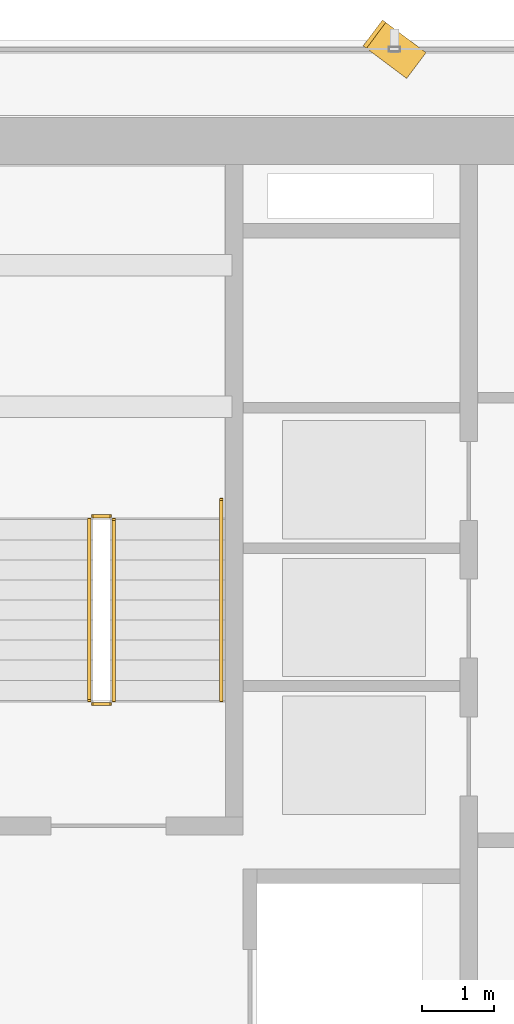
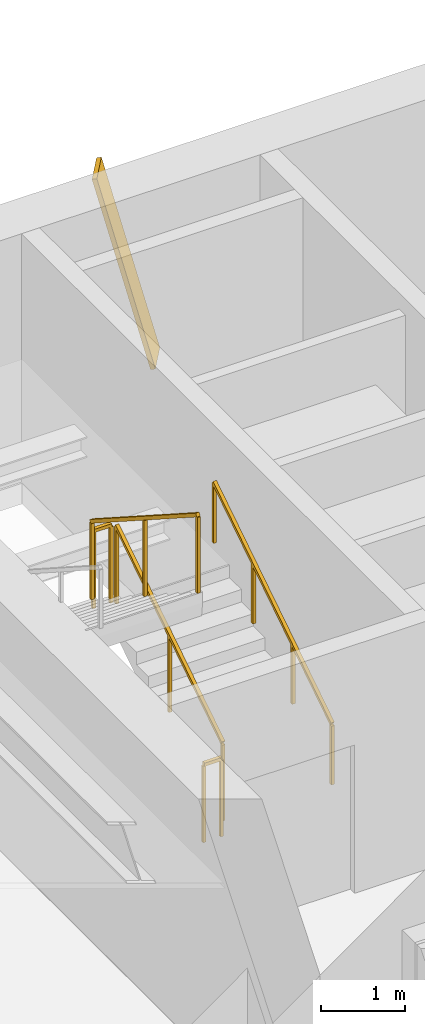
# One storey, part 25 of 29: 5 railings, 1 shading device.
"""IFC4 building model written with IfcOpenShell, lengths in metres."""

from ifc_helpers import new_model, si_unit, direction, frame, origin, origin_2d, place, context, subcontext, project, spatial, rectangle, extrude, source, transform, mapped, material, material_profile, profile_set, type_object, element, save


model = new_model("IFC4")

# Units and contexts
model_context = context("Model", 3, precision=1e-05, world=origin(), true_north=direction((0.0, 1.0)))
body_context = subcontext(model_context, "Body", "Model", "MODEL_VIEW")
ifc_project = project(units=[si_unit("LENGTHUNIT", "METRE"), si_unit("AREAUNIT", "SQUARE_METRE"), si_unit("VOLUMEUNIT", "CUBIC_METRE"), si_unit("PLANEANGLEUNIT", "RADIAN"), si_unit("MASSUNIT", "GRAM", prefix="KILO")], contexts=[model_context])

# Site, building, storey
site_placement = place(None, origin())
site = spatial("IfcSite", under=ifc_project, at=site_placement, CompositionType="ELEMENT")
building_placement = place(site_placement, origin())
building = spatial("IfcBuilding", under=site, at=building_placement, Name="Sumidabori Civic Tower", CompositionType="ELEMENT")
storey_placement = place(building_placement, frame((0.0, 0.0, 131.60009765625)))
storey = spatial("IfcBuildingStorey", under=building, at=storey_placement, Name="L33", CompositionType="ELEMENT", Elevation=131.60009765625)

# Railings
ifc_material_1 = material(Name="Stainless Steel Hairline Finish", Category="steel")
railing_type_1 = type_object("IfcRailingType", Name="RL-HANDRAIL", PredefinedType="HANDRAIL", material=ifc_material_1)
railing_1_placement = place(storey_placement, frame((-11.949951171875, 16.0, 0.179931640625)))
element("IfcRailing", 1, at=railing_1_placement, inside=storey, type_object=railing_type_1, Name="L33 ST-1 stair handrail 1", PredefinedType="HANDRAIL", context=body_context, shape_type="SweptSolid", body=[
    extrude(rectangle(XDim=0.048095703125, YDim=0.048095703125, at=origin_2d()), frame((0.0, 0.0, 0.8759765625), z_axis=(0.0, 0.840675598268, 0.541539046124), x_axis=(-1.0, 0.0, 0.0)), (0.0, 0.0, 1.0), 3.330810546875),
    extrude(rectangle(XDim=0.0419921875, YDim=0.0419921875, at=origin_2d()), origin(), (0.0, 0.0, 1.0), 0.851806640625),
    extrude(rectangle(XDim=0.0419921875, YDim=0.0419921875, at=origin_2d()), frame((0.0, 0.933349609375, 0.601318359375)), (0.0, 0.0, 1.0), 0.851806640625),
    extrude(rectangle(XDim=0.0419921875, YDim=0.0419921875, at=origin_2d()), frame((0.0, 1.86669921875, 1.202392578125)), (0.0, 0.0, 1.0), 0.851806640625),
    extrude(rectangle(XDim=0.0419921875, YDim=0.0419921875, at=origin_2d()), frame((0.0, 2.800048828125, 1.8037109375)), (0.0, 0.0, 1.0), 0.851806640625),
])
ifc_material_2 = material(Name="Steel SN490", Category="steel")
railing_type_2 = type_object("IfcRailingType", Name="RL-STAIR-GUARD", PredefinedType="GUARDRAIL", material=ifc_material_2)
railing_2_placement = place(storey_placement, frame((-13.449951171875, 16.0, 0.179931640625)))
element("IfcRailing", 2, at=railing_2_placement, inside=storey, type_object=railing_type_2, Name="L33 ST-1 stair guard 1", PredefinedType="GUARDRAIL", context=body_context, shape_type="SweptSolid", body=[
    extrude(rectangle(XDim=0.048095703125, YDim=0.048095703125, at=origin_2d()), frame((0.0, 0.0, 1.1259765625), z_axis=(0.0, 0.841199657755, 0.540724639528), x_axis=(-1.0, 0.0, 0.0)), (0.0, 0.0, 1.0), 2.995849609375),
    extrude(rectangle(XDim=0.0419921875, YDim=0.0419921875, at=origin_2d()), origin(), (0.0, 0.0, 1.0), 1.101806640625),
    extrude(rectangle(XDim=0.0419921875, YDim=0.0419921875, at=origin_2d()), frame((0.0, 1.260009765625, 0.81005859375)), (0.0, 0.0, 1.0), 1.101806640625),
    extrude(rectangle(XDim=0.0419921875, YDim=0.0419921875, at=origin_2d()), frame((0.0, 2.52001953125, 1.619873046875)), (0.0, 0.0, 1.0), 1.101806640625),
])
railing_3_placement = place(storey_placement, frame((-13.5, 18.570068359375, 1.7998046875)))
element("IfcRailing", 3, at=railing_3_placement, inside=storey, type_object=railing_type_2, Name="L33 ST-1 stair guard 2", PredefinedType="GUARDRAIL", context=body_context, shape_type="SweptSolid", body=[
    extrude(rectangle(XDim=0.048095703125, YDim=0.048095703125, at=origin_2d()), frame((0.0, 0.0, 1.1259765625), z_axis=(-1.0, 0.0, 0.0), x_axis=(0.0, -1.0, 0.0)), (0.0, 0.0, 1.0), 0.239990234375),
    extrude(rectangle(XDim=0.0419921875, YDim=0.0419921875, at=origin_2d()), origin(), (0.0, 0.0, 1.0), 1.101806640625),
    extrude(rectangle(XDim=0.0419921875, YDim=0.0419921875, at=origin_2d()), frame((-0.239990234375, 0.0, 0.0)), (0.0, 0.0, 1.0), 1.101806640625),
])
railing_4_placement = place(storey_placement, frame((-13.7900390625, 18.52001953125, 1.97998046875)))
element("IfcRailing", 4, at=railing_4_placement, inside=storey, type_object=railing_type_2, Name="L33 ST-1 stair guard 3", PredefinedType="GUARDRAIL", context=body_context, shape_type="SweptSolid", body=[
    extrude(rectangle(XDim=0.048095703125, YDim=0.048095703125, at=origin_2d()), frame((0.0, 0.0, 1.1259765625), z_axis=(0.0, -0.841199657755, 0.540724639528), x_axis=(1.0, 0.0, 0.0)), (0.0, 0.0, 1.0), 2.995849609375),
    extrude(rectangle(XDim=0.0419921875, YDim=0.0419921875, at=origin_2d()), origin(), (0.0, 0.0, 1.0), 1.101806640625),
    extrude(rectangle(XDim=0.0419921875, YDim=0.0419921875, at=origin_2d()), frame((0.0, -1.260009765625, 0.81005859375)), (0.0, 0.0, 1.0), 1.101806640625),
    extrude(rectangle(XDim=0.0419921875, YDim=0.0419921875, at=origin_2d()), frame((0.0, -2.52001953125, 1.619873046875)), (0.0, 0.0, 1.0), 1.101806640625),
])
railing_5_placement = place(storey_placement, frame((-13.5, 15.949951171875, 0.0)))
element("IfcRailing", 5, at=railing_5_placement, inside=storey, type_object=railing_type_2, Name="L33 ST-1 stair guard 4", PredefinedType="GUARDRAIL", context=body_context, shape_type="SweptSolid", body=[
    extrude(rectangle(XDim=0.048095703125, YDim=0.048095703125, at=origin_2d()), frame((0.0, 0.0, 1.1259765625), z_axis=(-1.0, 0.0, 0.0), x_axis=(0.0, -1.0, 0.0)), (0.0, 0.0, 1.0), 0.239990234375),
    extrude(rectangle(XDim=0.0419921875, YDim=0.0419921875, at=origin_2d()), origin(), (0.0, 0.0, 1.0), 1.101806640625),
    extrude(rectangle(XDim=0.0419921875, YDim=0.0419921875, at=origin_2d()), frame((-0.239990234375, 0.0, 0.0)), (0.0, 0.0, 1.0), 1.101806640625),
])

# Shading device
ifc_material_3 = material(Name="Anodised Bronze Aluminium AW-6063-T6", Category="aluminium")
ifc_material_profile = material_profile(ifc_material_3, rectangle(XDim=0.06005859375, YDim=0.449951171875, at=origin_2d()), Name="BRONZE FIN 450x60")
ifc_profile_set = profile_set([ifc_material_profile], Name="Anodised Bronze Aluminium AW-6063-T6")
shading_device_type = type_object("IfcShadingDeviceType", Name="SH-FIN-450", PredefinedType="USERDEFINED", material=ifc_profile_set)
shared_shape = source(origin(), body_context, "Body", "SweptSolid", [
    extrude(rectangle(XDim=0.06005859375, YDim=0.449951171875, at=origin_2d()), origin(), (0.0, 0.0, 1.0), 2.789306640625),
])
shading_device_placement = place(storey_placement, frame((-9.2548828125, 24.8701171875, 0.02001953125), z_axis=(-0.200794136335, 0.150551837182, 0.967995794998), x_axis=(0.774477654896, -0.580689436103, 0.250966413819)))
element("IfcShadingDevice", 6, at=shading_device_placement, inside=storey, type_object=shading_device_type, Name="Bronze Anodised Diagonal Fin L33-03", ObjectType="FIN", PredefinedType="USERDEFINED", context=body_context, shape_type="MappedRepresentation", body=[
    mapped(shared_shape, transform((0.0, 0.0, 0.0), x_axis=(1.0, 0.0, 0.0), y_axis=(0.0, 1.0, 0.0), z_axis=(0.0, 0.0, 1.0), scale=1.0)),
])

save(model, "model.ifc")
